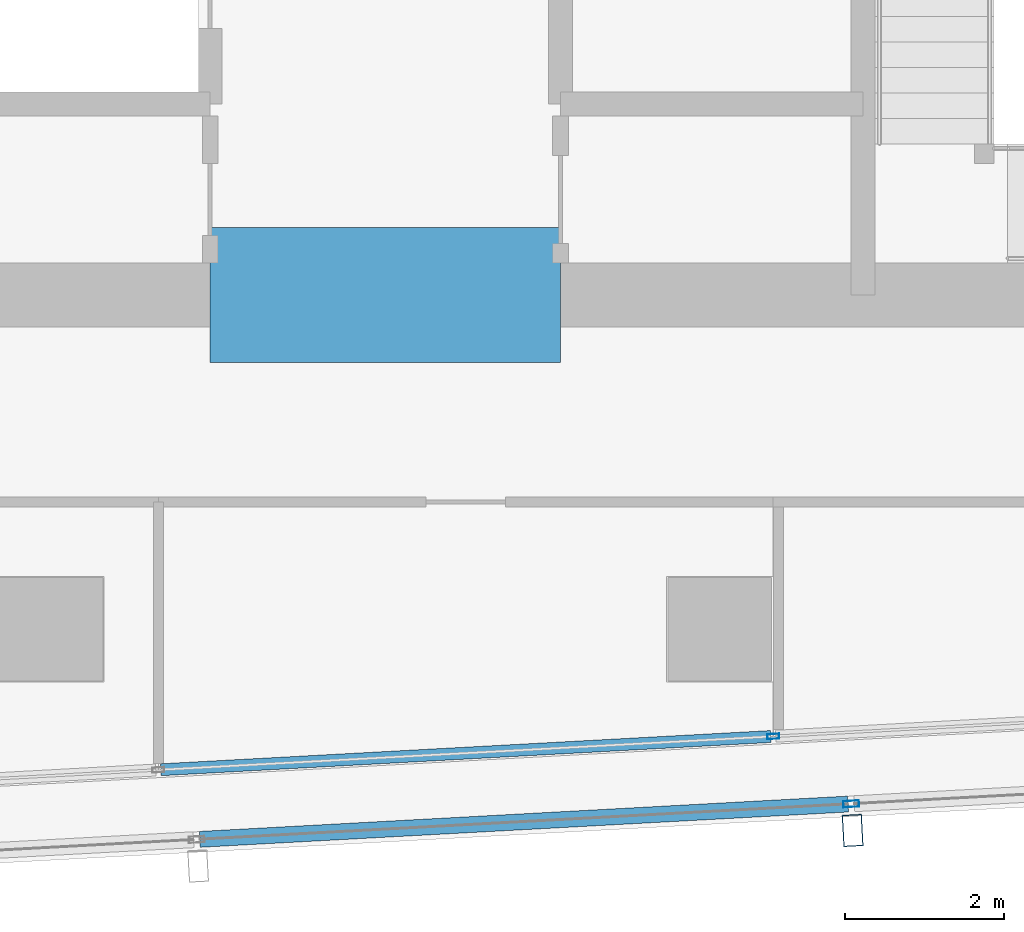
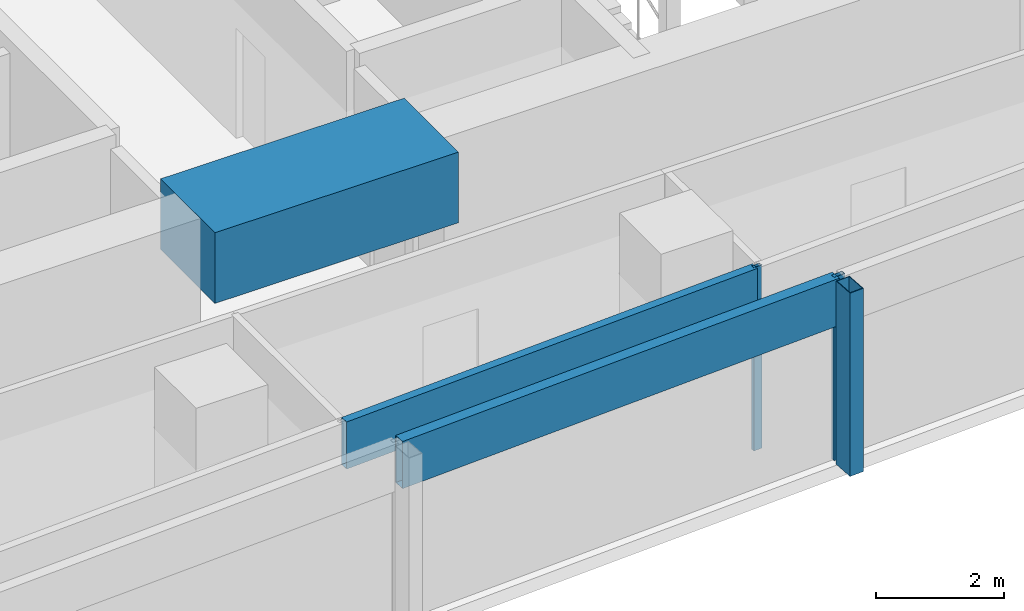
# One storey, part 9 of 30: 5 members, 1 beam, 2 elements without a shape of their own.
"""IFC4 building model written with IfcOpenShell, lengths in metres."""

from ifc_helpers import new_model, si_unit, direction, frame, origin, origin_2d, place, context, subcontext, project, spatial, rectangle, hollow_rectangle, extrude, material, material_profile, profile_set, type_object, element, aggregate, save


model = new_model("IFC4")

# Units and contexts
model_context = context("Model", 3, precision=1e-05, world=origin(), true_north=direction((0.0, 1.0)))
body_context = subcontext(model_context, "Body", "Model", "MODEL_VIEW")
ifc_project = project(units=[si_unit("LENGTHUNIT", "METRE"), si_unit("AREAUNIT", "SQUARE_METRE"), si_unit("VOLUMEUNIT", "CUBIC_METRE"), si_unit("PLANEANGLEUNIT", "RADIAN"), si_unit("MASSUNIT", "GRAM", prefix="KILO")], contexts=[model_context])

# Site, building, storey
site_placement = place(None, origin())
site = spatial("IfcSite", under=ifc_project, at=site_placement, CompositionType="ELEMENT")
building_placement = place(site_placement, origin())
building = spatial("IfcBuilding", under=site, at=building_placement, Name="Rekha Terrace Tower", CompositionType="ELEMENT")
storey_placement = place(building_placement, frame((0.0, 0.0, 272.60009765625)))
storey = spatial("IfcBuildingStorey", under=building, at=storey_placement, Name="L69", CompositionType="ELEMENT", Elevation=272.60009765625)

# Curtain wall, member
ifc_material_1 = material(Name="Aluminium framing", Category="aluminium")
curtain_wall_type_1 = type_object("IfcCurtainWallType", Name="CW2 double skin outer glazing", PredefinedType="USERDEFINED", material=ifc_material_1)
curtain_wall_1_placement = place(storey_placement, origin())
curtain_wall_1 = element("IfcCurtainWall", 1, at=curtain_wall_1_placement, inside=storey, type_object=curtain_wall_type_1, Name="CW2 double skin outer glazing", ObjectType="DOUBLE SKIN OUTER GLAZING", PredefinedType="USERDEFINED")
ifc_material_2 = material(Name="Steel S355 with fluorocarbon finish", Category="steel")
ifc_material_profile_1 = material_profile(ifc_material_2, hollow_rectangle(XDim=0.25, YDim=0.39990234375, WallThickness=0.012451171875, at=origin_2d()), Name="RHS400x250x12.5")
ifc_profile_set_1 = profile_set([ifc_material_profile_1], Name="Steel S355 with fluorocarbon finish")
member_type_1 = type_object("IfcMemberType", Name="BL1 facade blade RHS 400 x 250", PredefinedType="USERDEFINED", material=ifc_profile_set_1)
member_1_placement = place(storey_placement, frame((43.67138671875, 14.271728515625, 0.0), z_axis=(0.0, 0.0, 1.0), x_axis=(0.99851982155, 0.054389024366, 0.0)))
member_1 = element("IfcMember", 2, at=member_1_placement, type_object=member_type_1, Name="Facade blade", ObjectType="FACADE BLADE", PredefinedType="USERDEFINED", context=body_context, shape_type="SweptSolid", body=[
    extrude(hollow_rectangle(XDim=0.25, YDim=0.39990234375, WallThickness=0.012451171875, at=origin_2d()), origin(), (0.0, 0.0, 1.0), 3.5),
])

# Curtain wall, members
curtain_wall_type_2 = type_object("IfcCurtainWallType", Name="CW1 double skin inner glazing", PredefinedType="USERDEFINED", material=ifc_material_1)
curtain_wall_2_placement = place(storey_placement, origin())
curtain_wall_2 = element("IfcCurtainWall", 3, at=curtain_wall_2_placement, inside=storey, type_object=curtain_wall_type_2, Name="CW1 double skin inner glazing", ObjectType="DOUBLE SKIN INNER GLAZING", PredefinedType="USERDEFINED")
ifc_material_3 = material(Name="Aluminium mullion section", Category="aluminium")
ifc_material_profile_2 = material_profile(ifc_material_3, hollow_rectangle(XDim=0.06494140625, YDim=0.14990234375, WallThickness=0.00390625, at=origin_2d()), Name="AL RHS 65x150")
ifc_profile_set_2 = profile_set([ifc_material_profile_2], Name="Aluminium mullion section")
member_type_2 = type_object("IfcMemberType", Name="CW1 mullion RHS 65 x 150", PredefinedType="MULLION", material=ifc_profile_set_2)
member_2_placement = place(storey_placement, frame((42.673583984375, 15.4541015625, 0.0), z_axis=(0.0, 0.0, 1.0), x_axis=(-0.054388903036, 0.998519828159, 0.0)))
member_2 = element("IfcMember", 4, at=member_2_placement, type_object=member_type_2, Name="CW1 mullion 3", PredefinedType="MULLION", context=body_context, shape_type="SweptSolid", body=[
    extrude(hollow_rectangle(XDim=0.06494140625, YDim=0.14990234375, WallThickness=0.00390625, at=origin_2d()), origin(), (0.0, 0.0, 1.0), 3.5),
])
ifc_material_4 = material(Name="Insulated aluminium spandrel box", Category="aluminium")
ifc_material_profile_3 = material_profile(ifc_material_4, hollow_rectangle(XDim=0.14990234375, YDim=0.89990234375, WallThickness=0.0029296875, at=origin_2d()), Name="AL SPANDREL BOX 150x900")
ifc_profile_set_3 = profile_set([ifc_material_profile_3], Name="Insulated aluminium spandrel box")
member_type_3 = type_object("IfcMemberType", Name="CW1 spandrel transom 150 x 900", PredefinedType="USERDEFINED", material=ifc_profile_set_3)
member_3_placement = place(storey_placement, frame((34.980224609375, 15.03515625, 3.0498046875), z_axis=(0.998520172557, 0.054382579907, 0.0), x_axis=(-0.054382579907, 0.998520172557, 0.0)))
member_3 = element("IfcMember", 5, at=member_3_placement, type_object=member_type_3, Name="CW1 spandrel transom 2", ObjectType="TRANSOM", PredefinedType="USERDEFINED", context=body_context, shape_type="SweptSolid", body=[
    extrude(hollow_rectangle(XDim=0.14990234375, YDim=0.89990234375, WallThickness=0.0029296875, at=origin_2d()), origin(), (0.0, 0.0, 1.0), 7.67236328125),
])
aggregate(curtain_wall_2, [member_2, member_3])

# Member
ifc_material_profile_4 = material_profile(ifc_material_3, hollow_rectangle(XDim=0.080078125, YDim=0.199951171875, WallThickness=0.00390625, at=origin_2d()), Name="AL RHS 80x200")
ifc_profile_set_4 = profile_set([ifc_material_profile_4], Name="Aluminium mullion section")
member_type_4 = type_object("IfcMemberType", Name="CW2 mullion RHS 80 x 200", PredefinedType="MULLION", material=ifc_profile_set_4)
member_4_placement = place(storey_placement, frame((43.6533203125, 14.606201171875, 0.0), z_axis=(0.0, 0.0, 1.0), x_axis=(-0.054388903071, 0.998519828157, 0.0)))
member_4 = element("IfcMember", 6, at=member_4_placement, type_object=member_type_4, Name="CW2 mullion 3", PredefinedType="MULLION", context=body_context, shape_type="SweptSolid", body=[
    extrude(hollow_rectangle(XDim=0.080078125, YDim=0.199951171875, WallThickness=0.00390625, at=origin_2d()), origin(), (0.0, 0.0, 1.0), 3.5),
])

ifc_material_profile_5 = material_profile(ifc_material_4, hollow_rectangle(XDim=0.199951171875, YDim=0.89990234375, WallThickness=0.0029296875, at=origin_2d()), Name="AL SPANDREL BOX 200x900")
ifc_profile_set_5 = profile_set([ifc_material_profile_5], Name="Insulated aluminium spandrel box")
member_type_5 = type_object("IfcMemberType", Name="CW2 spandrel transom 200 x 900", PredefinedType="USERDEFINED", material=ifc_profile_set_5)
member_5_placement = place(storey_placement, frame((35.469970703125, 14.160400390625, 3.0498046875), z_axis=(0.998519553524, 0.054393944798, 0.0), x_axis=(-0.054393944798, 0.998519553524, 0.0)))
member_5 = element("IfcMember", 7, at=member_5_placement, type_object=member_type_5, Name="CW2 spandrel transom 2", ObjectType="TRANSOM", PredefinedType="USERDEFINED", context=body_context, shape_type="SweptSolid", body=[
    extrude(hollow_rectangle(XDim=0.199951171875, YDim=0.89990234375, WallThickness=0.0029296875, at=origin_2d()), origin(), (0.0, 0.0, 1.0), 8.1552734375),
])

aggregate(curtain_wall_1, [member_4, member_5, member_1])

# Beam
ifc_material_5 = material(Name="Concrete M60", Category="concrete")
ifc_material_profile_6 = material_profile(ifc_material_5, rectangle(XDim=1.699951171875, YDim=1.35009765625, at=origin_2d()), Name="RC 1700x1350")
ifc_profile_set_6 = profile_set([ifc_material_profile_6], Name="Concrete M60")
beam_type = type_object("IfcBeamType", Name="LB5A 1700x1350 diagonally reinforced coupling beam", PredefinedType="LINTEL", material=ifc_profile_set_6)
beam_placement = place(storey_placement, frame((35.60009765625, 21.0, 3.074951171875), z_axis=(1.0, 0.0, 0.0), x_axis=(0.0, 1.0, 0.0)))
element("IfcBeam", 8, at=beam_placement, inside=storey, type_object=beam_type, Name="Coupling beam LB5A S L69", PredefinedType="LINTEL", context=body_context, shape_type="SweptSolid", body=[
    extrude(rectangle(XDim=1.699951171875, YDim=1.35009765625, at=origin_2d()), origin(), (0.0, 0.0, 1.0), 4.39990234375),
])

save(model, "model.ifc")
